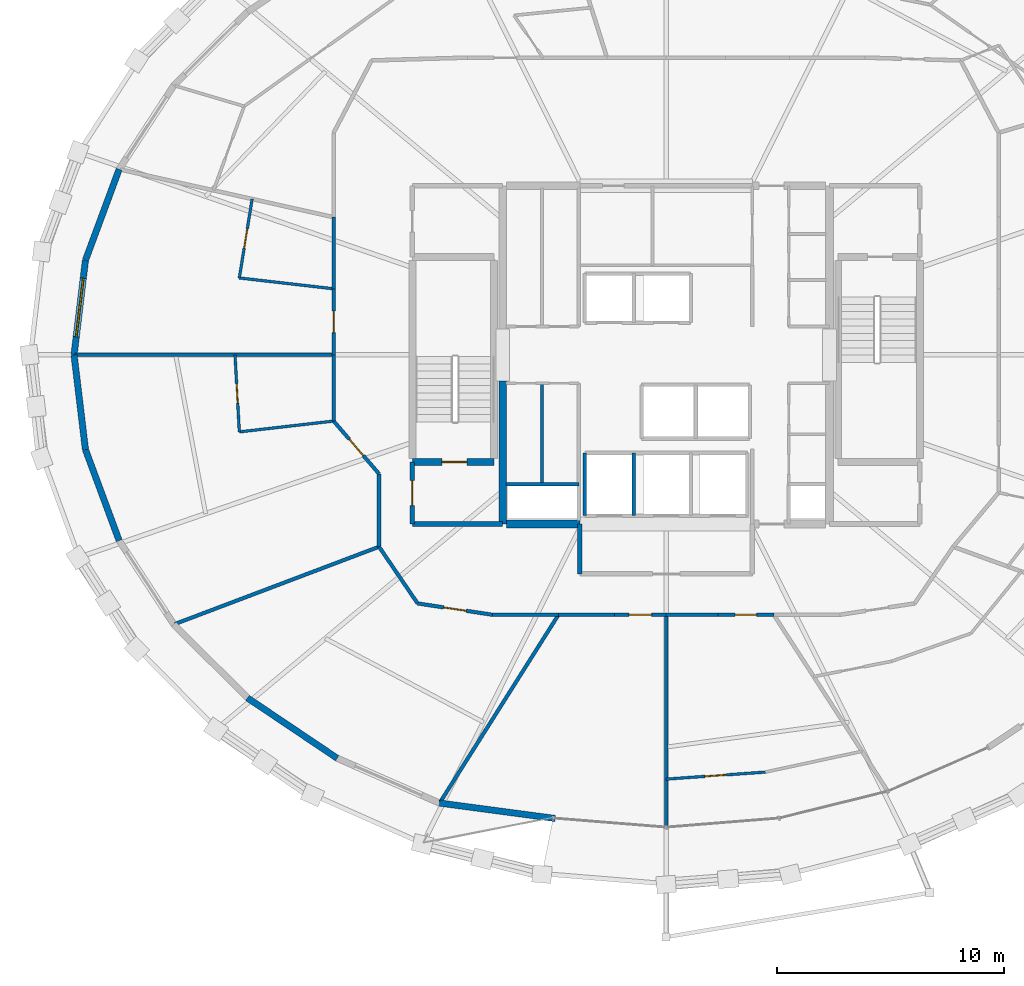
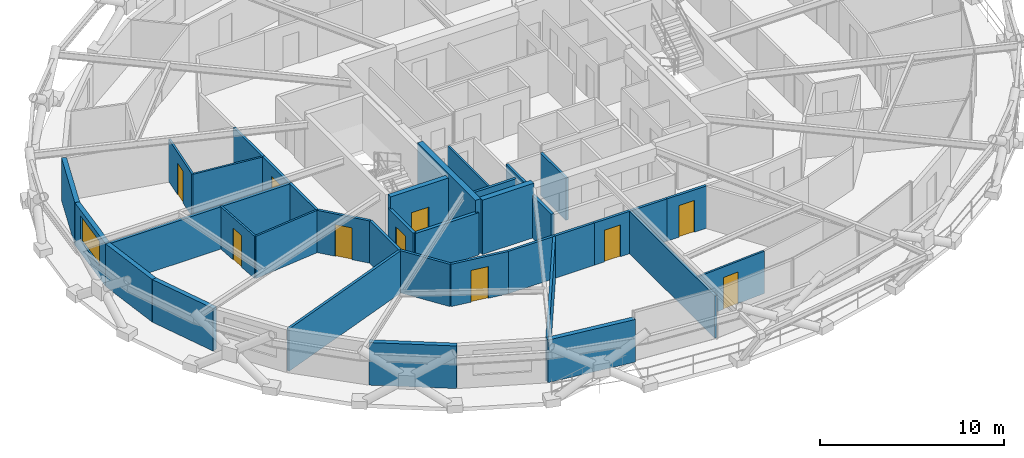
# One storey, part 14 of 20: 37 walls, 10 doors, 1 window, 11 openings.
"""IFC4 building model written with IfcOpenShell, lengths in metres."""

import ifcopenshell
import ifcopenshell.guid

model = None  # the IFC model being written
_history = None  # IfcOwnerHistory: only IFC2X3 demands one
_inside = {}  # id of a spatial element -> (the spatial element, [elements in it])
_under = {}  # id of a project, library or spatial element -> (it, [spatial elements below it])
_declared = {}  # id of a project -> (the project, [libraries it declares])
_typed = {}  # id of a type object -> (the type object, [elements of that type])
_made_of = {}  # id of a material, layer set ... -> (it, [elements and type objects made of it])


def new_model(schema):
    """Start an empty IFC model of exactly this schema.

    Asked for "IFC4X3", IfcOpenShell would pick the latest addendum, in which some entities
    have other attributes; the version numbers below select the first issue.
    IFC2X3 requires an IfcOwnerHistory on every rooted entity: one is made here for all.
    """
    global model, _history
    if schema == "IFC4X3":
        model = ifcopenshell.file(schema_version=(4, 3, 0, 0))
    else:
        model = ifcopenshell.file(schema=schema)
    _inside.clear()
    _under.clear()
    _declared.clear()
    _typed.clear()
    _made_of.clear()
    _history = None
    if model.schema == "IFC2X3":
        org = make("IfcOrganization", Name="unknown")
        user = make(
            "IfcPersonAndOrganization",
            ThePerson=make("IfcPerson", FamilyName="unknown"),
            TheOrganization=org,
        )
        app = make(
            "IfcApplication",
            ApplicationDeveloper=org,
            Version="unknown",
            ApplicationFullName="unknown",
            ApplicationIdentifier="unknown",
        )
        _history = make(
            "IfcOwnerHistory",
            OwningUser=user,
            OwningApplication=app,
            ChangeAction="ADDED",
            CreationDate=0,
        )
    return model


def make(cls, **values):
    """One entity of the class cls with the attributes given. An attribute that is None is left unset."""
    return model.create_entity(
        cls, **{name: value for name, value in values.items() if value is not None}
    )


def rooted(cls, **values):
    """An entity with a GlobalId (a new one), such as an element, a storey or a relation."""
    return make(cls, GlobalId=ifcopenshell.guid.new(), OwnerHistory=_history, **values)


def si_unit(unit_type, name, prefix=None):
    """IfcSIUnit, for example si_unit("LENGTHUNIT", "METRE", prefix="MILLI")."""
    return make("IfcSIUnit", UnitType=unit_type, Prefix=prefix, Name=name)


def assignment(units):
    """IfcUnitAssignment: the units of a project."""
    return None if units is None else make("IfcUnitAssignment", Units=units)


def point(xyz):
    """IfcCartesianPoint."""
    return None if xyz is None else make("IfcCartesianPoint", Coordinates=xyz)


def direction(xyz):
    """IfcDirection."""
    return None if xyz is None else make("IfcDirection", DirectionRatios=xyz)


def frame(location, z_axis=None, x_axis=None):
    """IfcAxis2Placement3D, a coordinate frame: its origin and axes. An axis left out is left unset."""
    return make(
        "IfcAxis2Placement3D",
        Location=point(location),
        Axis=direction(z_axis),
        RefDirection=direction(x_axis),
    )


def frame_2d(location, x_axis=None):
    """IfcAxis2Placement2D, a coordinate frame in the plane: its origin and x axis."""
    return make(
        "IfcAxis2Placement2D", Location=point(location), RefDirection=direction(x_axis)
    )


def origin():
    """The frame at (0, 0, 0) with its axes left unset."""
    return frame((0.0, 0.0, 0.0))


def place(relative_to, where):
    """IfcLocalPlacement: puts the frame where relative to a parent placement (None: the world)."""
    return make(
        "IfcLocalPlacement", PlacementRelTo=relative_to, RelativePlacement=where
    )


def context(
    kind, dimensions, precision=None, world=None, true_north=None, identifier=None
):
    """IfcGeometricRepresentationContext, for example the 3D "Model" context."""
    return make(
        "IfcGeometricRepresentationContext",
        ContextIdentifier=identifier,
        ContextType=kind,
        CoordinateSpaceDimension=dimensions,
        Precision=precision,
        WorldCoordinateSystem=world,
        TrueNorth=true_north,
    )


def subcontext(parent, identifier, kind, view, scale=None):
    """IfcGeometricRepresentationSubContext, for example "Body" below "Model"."""
    return make(
        "IfcGeometricRepresentationSubContext",
        ContextIdentifier=identifier,
        ContextType=kind,
        ParentContext=parent,
        TargetScale=scale,
        TargetView=view,
    )


def project(units=None, contexts=None):
    """IfcProject with its units and contexts."""
    return rooted(
        "IfcProject",
        Name="project",
        RepresentationContexts=contexts,
        UnitsInContext=assignment(units),
    )


def spatial(cls, under=None, at=None, **own):
    """A site, building, storey or space (cls), placed at a placement, below another one or the project."""
    s = rooted(cls, ObjectPlacement=at, **own)
    if under is not None:
        _under.setdefault(under.id(), (under, []))[1].append(s)
    return s


def profile(cls, at=None, kind="AREA", **sizes):
    """A parametric profile (cls). Its sizes go by their IFC names, for example OverallWidth=200.0."""
    return make(cls, ProfileType=kind, Position=at, **sizes)


def rectangle(**sizes):
    """IfcRectangleProfileDef."""
    return profile("IfcRectangleProfileDef", **sizes)


def extrude(swept, where, along, depth):
    """IfcExtrudedAreaSolid: the profile swept, set in the frame where, extruded along a direction by depth."""
    return make(
        "IfcExtrudedAreaSolid",
        SweptArea=swept,
        Position=where,
        ExtrudedDirection=direction(along),
        Depth=depth,
    )


def shape(context_of_items, identifier, shape_type, items):
    """IfcShapeRepresentation: the items that make up one representation, for example the "Body"."""
    return make(
        "IfcShapeRepresentation",
        ContextOfItems=context_of_items,
        RepresentationIdentifier=identifier,
        RepresentationType=shape_type,
        Items=items,
    )


def material(Name=None, Category=None):
    """IfcMaterial."""
    return make("IfcMaterial", Name=Name, Category=Category)


def layer(
    of_material, thickness, ventilated=None, Name=None, Category=None, Priority=None
):
    """IfcMaterialLayer: one layer of a wall or slab, of a material (None: an air gap)."""
    return make(
        "IfcMaterialLayer",
        Material=of_material,
        LayerThickness=thickness,
        IsVentilated=ventilated,
        Name=Name,
        Category=Category,
        Priority=Priority,
    )


def layer_set(layers, Name=None):
    """IfcMaterialLayerSet."""
    return make("IfcMaterialLayerSet", MaterialLayers=layers, LayerSetName=Name)


def made_of(thing, what):
    """Note that an element or type object is made of a material, layer set ...; save() writes the relation."""
    if what is not None:
        _made_of.setdefault(what.id(), (what, []))[1].append(thing)
    return thing


def type_object(cls, material=None, **own):
    """A type object (cls), such as IfcWallType, which elements share."""
    return made_of(rooted(cls, **own), material)


def element(
    cls,
    number,
    at=None,
    inside=None,
    cuts=None,
    type_object=None,
    material=None,
    context=None,
    identifier="Body",
    shape_type=None,
    held_by="IfcProductDefinitionShape",
    body=None,
    shapes=None,
    **own,
):
    """One element of the class cls, such as IfcWall. Its Tag is "e" and its number.

    at: its placement. inside: the storey or other place that contains it. cuts: it is an
    opening in that element (IfcRelVoidsElement). A single representation is given by context,
    identifier, shape_type and body (its items); several are given by shapes. held_by: the class
    of the entity that holds the representations. save() writes the other relations.
    """
    e = rooted(cls, Tag="e%d" % number, ObjectPlacement=at, **own)
    if body is not None:
        shapes = [shape(context, identifier, shape_type, body)]
    if shapes is not None:
        e.Representation = make(held_by, Representations=shapes)
    if inside is not None:
        _inside.setdefault(inside.id(), (inside, []))[1].append(e)
    if cuts is not None:
        rooted(
            "IfcRelVoidsElement", RelatingBuildingElement=cuts, RelatedOpeningElement=e
        )
    if type_object is not None:
        _typed.setdefault(type_object.id(), (type_object, []))[1].append(e)
    return made_of(e, material)


def fill(opening, filler):
    """IfcRelFillsElement: the door or window that sits in an opening."""
    return rooted(
        "IfcRelFillsElement",
        RelatingOpeningElement=opening,
        RelatedBuildingElement=filler,
    )


def aggregate(whole, parts):
    """IfcRelAggregates: a whole, such as a stair, and the parts it consists of."""
    return rooted("IfcRelAggregates", RelatingObject=whole, RelatedObjects=parts)


def save(model, path):
    """Write the relations noted so far, then the file.

    IfcRelAggregates (storeys below a building ...), IfcRelContainedInSpatialStructure (elements
    in a storey), IfcRelDefinesByType, IfcRelAssociatesMaterial and IfcRelDeclares: one each for
    every whole, place, type object, material and project.
    """
    for whole, parts in _under.values():
        aggregate(whole, parts)
    for where, things in _inside.values():
        rooted(
            "IfcRelContainedInSpatialStructure",
            RelatedElements=things,
            RelatingStructure=where,
        )
    for kind, things in _typed.values():
        rooted("IfcRelDefinesByType", RelatedObjects=things, RelatingType=kind)
    for what, things in _made_of.values():
        rooted("IfcRelAssociatesMaterial", RelatedObjects=things, RelatingMaterial=what)
    for by, libraries in _declared.values():
        rooted("IfcRelDeclares", RelatingContext=by, RelatedDefinitions=libraries)
    model.write(path)


model = new_model("IFC4")

# Units and contexts
model_context = context("Model", 3, precision=1e-05, world=origin(), true_north=direction((0.0, 1.0)))
body_context = subcontext(model_context, "Body", "Model", "MODEL_VIEW")
ifc_project = project(units=[si_unit("LENGTHUNIT", "METRE"), si_unit("AREAUNIT", "SQUARE_METRE"), si_unit("VOLUMEUNIT", "CUBIC_METRE"), si_unit("PLANEANGLEUNIT", "RADIAN"), si_unit("MASSUNIT", "GRAM", prefix="KILO")], contexts=[model_context])

# Site, building, storey
site_placement = place(None, origin())
site = spatial("IfcSite", under=ifc_project, at=site_placement, CompositionType="ELEMENT")
building_placement = place(site_placement, origin())
building = spatial("IfcBuilding", under=site, at=building_placement, Name="Veldorina Hangang Commons", CompositionType="ELEMENT")
storey_placement = place(building_placement, frame((0.0, 0.0, 171.199951171875)))
storey = spatial("IfcBuildingStorey", under=building, at=storey_placement, Name="L44", CompositionType="ELEMENT", Elevation=171.199951171875)

# Walls
ifc_material_1 = material(Name="Concrete C60/75", Category="concrete")
ifc_layer_1 = layer(ifc_material_1, 0.340087890625)
ifc_layer_set_1 = layer_set([ifc_layer_1], Name="Concrete C60/75")
wall_type_1 = type_object("IfcWallType", Name="CW-RC340-C60", PredefinedType="SHEAR", material=ifc_layer_set_1)
wall_1_placement = place(storey_placement, frame((24.800048828125, 16.550048828125, 0.0), z_axis=(0.0, 0.0, 1.0), x_axis=(0.0, 1.0, 0.0)))
element("IfcWall", 1, at=wall_1_placement, inside=storey, type_object=wall_type_1, Name="L44 W south core shear wall", PredefinedType="SHEAR", context=body_context, shape_type="SweptSolid", body=[
    extrude(rectangle(XDim=6.300048828125, YDim=0.340087890625, at=frame_2d((3.14990234375, 0.0))), origin(), (0.0, 0.0, 1.0), 3.60009765625),
])
wall_2_placement = place(storey_placement, frame((24.969970703125, 16.550048828125, 0.0), z_axis=(0.0, 0.0, 1.0), x_axis=(1.0, 0.0, 0.0)))
element("IfcWall", 2, at=wall_2_placement, inside=storey, type_object=wall_type_1, Name="L44 south-west core shear wall", PredefinedType="SHEAR", context=body_context, shape_type="SweptSolid", body=[
    extrude(rectangle(XDim=3.22998046875, YDim=0.340087890625, at=frame_2d((1.614990234375, 0.0))), origin(), (0.0, 0.0, 1.0), 3.60009765625),
])
ifc_material_2 = material(Name="Stone Roman Travertine", Category="masonry")
ifc_layer_2 = layer(ifc_material_2, 0.280029296875)
ifc_layer_set_2 = layer_set([ifc_layer_2], Name="Stone Roman Travertine")
wall_type_2 = type_object("IfcWallType", Name="EW-TRAV-280", PredefinedType="STANDARD", material=ifc_layer_set_2)
wall_3_placement = place(storey_placement, frame((7.89794921875, 32.17919921875, 0.0), z_axis=(0.0, 0.0, 1.0), x_axis=(-0.347202759563, -0.937790085121, 0.0)))
element("IfcWall", 3, at=wall_3_placement, inside=storey, type_object=wall_type_2, Name="L44 travertine facade wall 14", PredefinedType="STANDARD", context=body_context, shape_type="SweptSolid", body=[
    extrude(rectangle(XDim=4.275146484375, YDim=0.280029296875, at=frame_2d((2.1376953125, 0.0))), origin(), (0.0, 0.0, 1.0), 2.820068359375),
])

# Wall, opening, window
wall_4_placement = place(storey_placement, frame((6.41357421875, 28.169921875, 0.0), z_axis=(0.0, 0.0, 1.0), x_axis=(-0.119397354427, -0.992846549954, 0.0)))
wall_4 = element("IfcWall", 4, at=wall_4_placement, inside=storey, type_object=wall_type_2, Name="L44 travertine facade wall 15", PredefinedType="STANDARD", context=body_context, shape_type="SweptSolid", body=[
    extrude(rectangle(XDim=4.199951171875, YDim=0.280029296875, at=frame_2d((2.10009765625, 0.0))), origin(), (0.0, 0.0, 1.0), 2.820068359375),
])
opening_1_placement = place(wall_4_placement, frame((0.7998046875, 0.0, 0.800048828125)))
opening_1 = element("IfcOpeningElement", 5, at=opening_1_placement, cuts=wall_4, Name="Opening W-02", PredefinedType="OPENING", context=body_context, shape_type="SweptSolid", body=[
    extrude(rectangle(XDim=2.60009765625, YDim=1.64990234375, at=frame_2d((1.300048828125, 0.824951171875))), frame((0.0, 0.14990234375, 0.0), z_axis=(0.0, -1.0, 0.0), x_axis=(1.0, 0.0, 0.0)), (0.0, 0.0, 1.0), 0.300048828125),
])
ifc_material_3 = material(Name="Glass Low-E Triple IGU", Category="glass")
window_type = type_object("IfcWindowType", Name="WIN-TWR-2600", PartitioningType="SINGLE_PANEL", PredefinedType="WINDOW", material=ifc_material_3)
window_placement = place(opening_1_placement, origin())
window = element("IfcWindow", 6, at=window_placement, inside=storey, type_object=window_type, Name="L44 facade window 15", OverallHeight=1.64990234375, OverallWidth=2.60009765625, PartitioningType="SINGLE_PANEL", PredefinedType="WINDOW", context=body_context, shape_type="SweptSolid", body=[
    extrude(rectangle(XDim=2.60009765625, YDim=1.64990234375, at=frame_2d((1.300048828125, 0.824951171875))), frame((0.0, 0.030029296875, 0.0), z_axis=(0.0, -1.0, 0.0), x_axis=(1.0, 0.0, 0.0)), (0.0, 0.0, 1.0), 0.06005859375),
])
fill(opening_1, window)

# Walls
wall_5_placement = place(storey_placement, frame((5.912109375, 24.0, 0.0), z_axis=(0.0, 0.0, 1.0), x_axis=(0.119397354427, -0.992846549954, 0.0)))
element("IfcWall", 7, at=wall_5_placement, inside=storey, type_object=wall_type_2, Name="L44 travertine facade wall 16", PredefinedType="STANDARD", context=body_context, shape_type="SweptSolid", body=[
    extrude(rectangle(XDim=4.199951171875, YDim=0.280029296875, at=frame_2d((2.10009765625, 0.0))), origin(), (0.0, 0.0, 1.0), 2.820068359375),
])
wall_6_placement = place(storey_placement, frame((6.41357421875, 19.830078125, 0.0), z_axis=(0.0, 0.0, 1.0), x_axis=(0.347202759563, -0.937790085121, 0.0)))
element("IfcWall", 8, at=wall_6_placement, inside=storey, type_object=wall_type_2, Name="L44 travertine facade wall 17", PredefinedType="STANDARD", context=body_context, shape_type="SweptSolid", body=[
    extrude(rectangle(XDim=4.275146484375, YDim=0.280029296875, at=frame_2d((2.1376953125, 0.0))), origin(), (0.0, 0.0, 1.0), 2.820068359375),
])
wall_7_placement = place(storey_placement, frame((13.552978515625, 8.88671875, 0.0), z_axis=(0.0, 0.0, 1.0), x_axis=(0.82985197946, -0.557983594909, 0.0)))
element("IfcWall", 9, at=wall_7_placement, inside=storey, type_object=wall_type_2, Name="L44 travertine facade wall 20", PredefinedType="STANDARD", context=body_context, shape_type="SweptSolid", body=[
    extrude(rectangle(XDim=4.763916015625, YDim=0.280029296875, at=frame_2d((2.3818359375, 0.0))), origin(), (0.0, 0.0, 1.0), 2.820068359375),
])
wall_8_placement = place(storey_placement, frame((22.0166015625, 4.25341796875, 0.0), z_axis=(0.0, 0.0, 1.0), x_axis=(0.991229560072, -0.132151274075, 0.0)))
element("IfcWall", 10, at=wall_8_placement, inside=storey, type_object=wall_type_2, Name="L44 travertine facade wall 22", PredefinedType="STANDARD", context=body_context, shape_type="SweptSolid", body=[
    extrude(rectangle(XDim=5.1396484375, YDim=0.280029296875, at=frame_2d((2.56982421875, 0.0))), origin(), (0.0, 0.0, 1.0), 2.820068359375),
])

# Wall, opening, door
ifc_material_4 = material(Name="Concrete C50/60", Category="concrete")
ifc_layer_3 = layer(ifc_material_4, 0.300048828125)
ifc_layer_set_3 = layer_set([ifc_layer_3], Name="Concrete C50/60")
wall_type_3 = type_object("IfcWallType", Name="SW-STAIR-300", PredefinedType="SHEAR", material=ifc_layer_set_3)
wall_9_placement = place(storey_placement, frame((20.820068359375, 19.280029296875, 0.0), z_axis=(0.0, 0.0, 1.0), x_axis=(1.0, 0.0, 0.0)))
wall_9 = element("IfcWall", 11, at=wall_9_placement, inside=storey, type_object=wall_type_3, Name="L44 ST1 south stair shear wall", PredefinedType="SHEAR", context=body_context, shape_type="SweptSolid", body=[
    extrude(rectangle(XDim=3.599853515625, YDim=0.300048828125, at=frame_2d((1.7998046875, 0.0))), origin(), (0.0, 0.0, 1.0), 3.60009765625),
])
opening_2_placement = place(wall_9_placement, frame((1.300048828125, 0.0, 0.0)))
opening_2 = element("IfcOpeningElement", 12, at=opening_2_placement, cuts=wall_9, Name="Opening D-08", PredefinedType="OPENING", context=body_context, shape_type="SweptSolid", body=[
    extrude(rectangle(XDim=1.10009765625, YDim=2.10009765625, at=frame_2d((0.550048828125, 1.050048828125))), frame((0.0, 0.16015625, 0.0), z_axis=(0.0, -1.0, 0.0), x_axis=(1.0, 0.0, 0.0)), (0.0, 0.0, 1.0), 0.320068359375),
])
ifc_material_5 = material(Name="Steel Fire-Rated Smoke Seal", Category="steel")
door_type_1 = type_object("IfcDoorType", Name="DR-FIRE-1100", OperationType="SINGLE_SWING_RIGHT", PredefinedType="DOOR", material=ifc_material_5)
door_1_placement = place(opening_2_placement, origin())
door_1 = element("IfcDoor", 13, at=door_1_placement, inside=storey, type_object=door_type_1, Name="L44 Special Escape Stair ST-1 door", OperationType="SINGLE_SWING_LEFT", OverallHeight=2.10009765625, OverallWidth=1.10009765625, PredefinedType="DOOR", context=body_context, shape_type="SweptSolid", body=[
    extrude(rectangle(XDim=1.10009765625, YDim=2.10009765625, at=frame_2d((0.550048828125, 1.050048828125))), frame((0.0, 0.02490234375, 0.0), z_axis=(0.0, -1.0, 0.0), x_axis=(1.0, 0.0, 0.0)), (0.0, 0.0, 1.0), 0.050048828125),
])
fill(opening_2, door_1)

# Walls
ifc_material_6 = material(Name="Gypsum Fire-Rated Twin Stud Wall", Category="gypsum")
ifc_layer_4 = layer(ifc_material_6, 0.159912109375)
ifc_layer_set_4 = layer_set([ifc_layer_4], Name="Gypsum Fire-Rated Twin Stud Wall")
wall_type_4 = type_object("IfcWallType", Name="WL-FIRE-160", PredefinedType="SOLIDWALL", material=ifc_layer_set_4)
for number, where, z_axis, x_axis, name in (
    (14, (28.419921875, 16.919921875, 0.0), (0.0, 0.0, 1.0), (0.0, 1.0, 0.0), "L44 FFL-1 west shaft wall 027"),
    (15, (30.580078125, 16.919921875, 0.0), (0.0, 0.0, 1.0), (0.0, 1.0, 0.0), "L44 FFL-1 east shaft wall 028"),
):
    element("IfcWall", number, at=place(storey_placement, frame(where, z_axis=z_axis, x_axis=x_axis)), inside=storey, type_object=wall_type_4, Name=name, PredefinedType="SOLIDWALL", context=body_context, shape_type="SweptSolid", body=[
        extrude(rectangle(XDim=2.760009765625, YDim=0.159912109375, at=frame_2d((1.3798828125, 0.0))), origin(), (0.0, 0.0, 1.0), 2.800048828125),
    ])
wall_10_placement = place(storey_placement, frame((24.949951171875, 18.300048828125, 0.0), z_axis=(0.0, 0.0, 1.0), x_axis=(1.0, 0.0, 0.0)))
element("IfcWall", 16, at=wall_10_placement, inside=storey, type_object=wall_type_4, Name="L44 Electrical riser wall 035", PredefinedType="SOLIDWALL", context=body_context, shape_type="SweptSolid", body=[
    extrude(rectangle(XDim=3.199951171875, YDim=0.159912109375, at=frame_2d((1.60009765625, 0.0))), origin(), (0.0, 0.0, 1.0), 2.800048828125),
])
wall_11_placement = place(storey_placement, frame((17.35009765625, 30.068115234375, 0.0), z_axis=(0.0, 0.0, 1.0), x_axis=(0.0, -1.0, 0.0)))
element("IfcWall", 17, at=wall_11_placement, inside=storey, type_object=wall_type_4, Name="L44 U-corridor outer wall 14 064", PredefinedType="SOLIDWALL", context=body_context, shape_type="SweptSolid", body=[
    extrude(rectangle(XDim=3.154052734375, YDim=0.159912109375, at=frame_2d((1.5771484375, 0.0))), origin(), (0.0, 0.0, 1.0), 2.800048828125),
])

# Wall, opening, door
wall_12_placement = place(storey_placement, frame((17.35009765625, 26.9140625, 0.0), z_axis=(0.0, 0.0, 1.0), x_axis=(0.0, -1.0, 0.0)))
wall_12 = element("IfcWall", 18, at=wall_12_placement, inside=storey, type_object=wall_type_4, Name="L44 U-corridor outer wall 15 065", PredefinedType="SOLIDWALL", context=body_context, shape_type="SweptSolid", body=[
    extrude(rectangle(XDim=2.9140625, YDim=0.159912109375, at=frame_2d((1.45703125, 0.0))), origin(), (0.0, 0.0, 1.0), 2.800048828125),
])
opening_3_placement = place(wall_12_placement, frame((0.98193359375, 0.0, 0.0)))
opening_3 = element("IfcOpeningElement", 19, at=opening_3_placement, cuts=wall_12, Name="Opening D-03", PredefinedType="OPENING", context=body_context, shape_type="SweptSolid", body=[
    extrude(rectangle(XDim=0.949951171875, YDim=2.10009765625, at=frame_2d((0.47509765625, 1.050048828125))), frame((0.0, 0.08984375, 0.0), z_axis=(0.0, -1.0, 0.0), x_axis=(1.0, 0.0, 0.0)), (0.0, 0.0, 1.0), 0.179931640625),
])
ifc_material_7 = material(Name="Timber Fire-Rated Entrance Core", Category="wood")
door_type_2 = type_object("IfcDoorType", Name="DR-UNIT-950", OperationType="SINGLE_SWING_RIGHT", PredefinedType="DOOR", material=ifc_material_7)
door_2_placement = place(opening_3_placement, origin())
door_2 = element("IfcDoor", 20, at=door_2_placement, inside=storey, type_object=door_type_2, Name="L44 Studio 5 entrance door 044", OperationType="SINGLE_SWING_RIGHT", OverallHeight=2.10009765625, OverallWidth=0.949951171875, PredefinedType="DOOR", context=body_context, shape_type="SweptSolid", body=[
    extrude(rectangle(XDim=0.949951171875, YDim=2.10009765625, at=frame_2d((0.47509765625, 1.050048828125))), frame((0.0, 0.02490234375, 0.0), z_axis=(0.0, -1.0, 0.0), x_axis=(1.0, 0.0, 0.0)), (0.0, 0.0, 1.0), 0.050048828125),
])
fill(opening_3, door_2)

# Wall
wall_13_placement = place(storey_placement, frame((17.35009765625, 24.0, 0.0), z_axis=(0.0, 0.0, 1.0), x_axis=(0.0, -1.0, 0.0)))
element("IfcWall", 21, at=wall_13_placement, inside=storey, type_object=wall_type_4, Name="L44 U-corridor outer wall 16 066", PredefinedType="SOLIDWALL", context=body_context, shape_type="SweptSolid", body=[
    extrude(rectangle(XDim=2.9140625, YDim=0.159912109375, at=frame_2d((1.45703125, 0.0))), origin(), (0.0, 0.0, 1.0), 2.800048828125),
])

# Wall, opening, door
wall_14_placement = place(storey_placement, frame((17.35009765625, 21.0859375, 0.0), z_axis=(0.0, 0.0, 1.0), x_axis=(0.652022797448, -0.758199361388, 0.0)))
wall_14 = element("IfcWall", 22, at=wall_14_placement, inside=storey, type_object=wall_type_4, Name="L44 U-corridor outer wall 17 067", PredefinedType="SOLIDWALL", context=body_context, shape_type="SweptSolid", body=[
    extrude(rectangle(XDim=3.0673828125, YDim=0.159912109375, at=frame_2d((1.53369140625, 0.0))), origin(), (0.0, 0.0, 1.0), 2.800048828125),
])
opening_4_placement = place(wall_14_placement, frame((1.05859375, 0.0, 0.0)))
opening_4 = element("IfcOpeningElement", 23, at=opening_4_placement, cuts=wall_14, Name="Opening D-03", PredefinedType="OPENING", context=body_context, shape_type="SweptSolid", body=[
    extrude(rectangle(XDim=0.949951171875, YDim=2.10009765625, at=frame_2d((0.47509765625, 1.050048828125))), frame((0.0, 0.08984375, 0.0), z_axis=(0.0, -1.0, 0.0), x_axis=(1.0, 0.0, 0.0)), (0.0, 0.0, 1.0), 0.179931640625),
])
door_3_placement = place(opening_4_placement, origin())
door_3 = element("IfcDoor", 24, at=door_3_placement, inside=storey, type_object=door_type_2, Name="L44 Studio 6 entrance door 046", OperationType="SINGLE_SWING_RIGHT", OverallHeight=2.10009765625, OverallWidth=0.949951171875, PredefinedType="DOOR", context=body_context, shape_type="SweptSolid", body=[
    extrude(rectangle(XDim=0.949951171875, YDim=2.10009765625, at=frame_2d((0.47509765625, 1.050048828125))), frame((0.0, 0.02490234375, 0.0), z_axis=(0.0, -1.0, 0.0), x_axis=(1.0, 0.0, 0.0)), (0.0, 0.0, 1.0), 0.050048828125),
])
fill(opening_4, door_3)

# Walls
wall_15_placement = place(storey_placement, frame((19.35009765625, 18.76025390625, 0.0), z_axis=(0.0, 0.0, 1.0), x_axis=(0.0, -1.0, 0.0)))
element("IfcWall", 25, at=wall_15_placement, inside=storey, type_object=wall_type_4, Name="L44 U-corridor outer wall 18 068", PredefinedType="SOLIDWALL", context=body_context, shape_type="SweptSolid", body=[
    extrude(rectangle(XDim=3.212646484375, YDim=0.159912109375, at=frame_2d((1.6064453125, 0.0))), origin(), (0.0, 0.0, 1.0), 2.800048828125),
])
wall_16_placement = place(storey_placement, frame((19.35009765625, 15.547607421875, 0.0), z_axis=(0.0, 0.0, 1.0), x_axis=(0.562674669208, -0.826678423955, 0.0)))
element("IfcWall", 26, at=wall_16_placement, inside=storey, type_object=wall_type_4, Name="L44 U-corridor outer wall 19 069", PredefinedType="SOLIDWALL", context=body_context, shape_type="SweptSolid", body=[
    extrude(rectangle(XDim=3.021240234375, YDim=0.159912109375, at=frame_2d((1.5107421875, 0.0))), origin(), (0.0, 0.0, 1.0), 2.800048828125),
])

# Wall, opening, door
wall_17_placement = place(storey_placement, frame((21.050048828125, 13.050048828125, 0.0), z_axis=(0.0, 0.0, 1.0), x_axis=(0.988710906508, -0.149835721217, 0.0)))
wall_17 = element("IfcWall", 27, at=wall_17_placement, inside=storey, type_object=wall_type_4, Name="L44 U-corridor outer wall 20 070", PredefinedType="SOLIDWALL", context=body_context, shape_type="SweptSolid", body=[
    extrude(rectangle(XDim=3.3369140625, YDim=0.159912109375, at=frame_2d((1.66845703125, 0.0))), origin(), (0.0, 0.0, 1.0), 2.800048828125),
])
opening_5_placement = place(wall_17_placement, frame((1.16845703125, 0.0, 0.0)))
opening_5 = element("IfcOpeningElement", 28, at=opening_5_placement, cuts=wall_17, Name="Opening D-05", PredefinedType="OPENING", context=body_context, shape_type="SweptSolid", body=[
    extrude(rectangle(XDim=1.0, YDim=2.10009765625, at=frame_2d((0.5, 1.050048828125))), frame((0.0, 0.08984375, 0.0), z_axis=(0.0, -1.0, 0.0), x_axis=(1.0, 0.0, 0.0)), (0.0, 0.0, 1.0), 0.179931640625),
])
ifc_material_8 = material(Name="Timber Solid Core Acoustic", Category="wood")
door_type_3 = type_object("IfcDoorType", Name="DR-INT-1000", OperationType="SINGLE_SWING_RIGHT", PredefinedType="DOOR", material=ifc_material_8)
door_4_placement = place(opening_5_placement, origin())
door_4 = element("IfcDoor", 29, at=door_4_placement, inside=storey, type_object=door_type_3, Name="L44 Floor Study Room 7 door 047", OperationType="SINGLE_SWING_LEFT", OverallHeight=2.10009765625, OverallWidth=1.0, PredefinedType="DOOR", context=body_context, shape_type="SweptSolid", body=[
    extrude(rectangle(XDim=1.0, YDim=2.10009765625, at=frame_2d((0.5, 1.050048828125))), frame((0.0, 0.02490234375, 0.0), z_axis=(0.0, -1.0, 0.0), x_axis=(1.0, 0.0, 0.0)), (0.0, 0.0, 1.0), 0.050048828125),
])
fill(opening_5, door_4)

# Walls
wall_18_placement = place(storey_placement, frame((24.349365234375, 12.550048828125, 0.0), z_axis=(0.0, 0.0, 1.0), x_axis=(1.0, 0.0, 0.0)))
element("IfcWall", 30, at=wall_18_placement, inside=storey, type_object=wall_type_4, Name="L44 U-corridor outer wall 21 071", PredefinedType="SOLIDWALL", context=body_context, shape_type="SweptSolid", body=[
    extrude(rectangle(XDim=2.907958984375, YDim=0.159912109375, at=frame_2d((1.4541015625, 0.0))), origin(), (0.0, 0.0, 1.0), 2.800048828125),
])
wall_19_placement = place(storey_placement, frame((27.25732421875, 12.550048828125, 0.0), z_axis=(0.0, 0.0, 1.0), x_axis=(1.0, 0.0, 0.0)))
element("IfcWall", 31, at=wall_19_placement, inside=storey, type_object=wall_type_4, Name="L44 U-corridor outer wall 22 072", PredefinedType="SOLIDWALL", context=body_context, shape_type="SweptSolid", body=[
    extrude(rectangle(XDim=2.465087890625, YDim=0.159912109375, at=frame_2d((1.232421875, 0.0))), origin(), (0.0, 0.0, 1.0), 2.800048828125),
])

# Wall, opening, door
wall_20_placement = place(storey_placement, frame((29.722412109375, 12.550048828125, 0.0), z_axis=(0.0, 0.0, 1.0), x_axis=(1.0, 0.0, 0.0)))
wall_20 = element("IfcWall", 32, at=wall_20_placement, inside=storey, type_object=wall_type_4, Name="L44 U-corridor outer wall 23 073", PredefinedType="SOLIDWALL", context=body_context, shape_type="SweptSolid", body=[
    extrude(rectangle(XDim=2.277587890625, YDim=0.159912109375, at=frame_2d((1.138671875, 0.0))), origin(), (0.0, 0.0, 1.0), 2.800048828125),
])
opening_6_placement = place(wall_20_placement, frame((0.638671875, 0.0, 0.0)))
opening_6 = element("IfcOpeningElement", 33, at=opening_6_placement, cuts=wall_20, Name="Opening D-05", PredefinedType="OPENING", context=body_context, shape_type="SweptSolid", body=[
    extrude(rectangle(XDim=1.0, YDim=2.10009765625, at=frame_2d((0.5, 1.050048828125))), frame((0.0, 0.08984375, 0.0), z_axis=(0.0, -1.0, 0.0), x_axis=(1.0, 0.0, 0.0)), (0.0, 0.0, 1.0), 0.179931640625),
])
door_5_placement = place(opening_6_placement, origin())
door_5 = element("IfcDoor", 34, at=door_5_placement, inside=storey, type_object=door_type_3, Name="L44 Seminar Focus Room 8 door 048", OperationType="SINGLE_SWING_RIGHT", OverallHeight=2.10009765625, OverallWidth=1.0, PredefinedType="DOOR", context=body_context, shape_type="SweptSolid", body=[
    extrude(rectangle(XDim=1.0, YDim=2.10009765625, at=frame_2d((0.5, 1.050048828125))), frame((0.0, 0.02490234375, 0.0), z_axis=(0.0, -1.0, 0.0), x_axis=(1.0, 0.0, 0.0)), (0.0, 0.0, 1.0), 0.050048828125),
])
fill(opening_6, door_5)

# Wall
wall_21_placement = place(storey_placement, frame((32.0, 12.550048828125, 0.0), z_axis=(0.0, 0.0, 1.0), x_axis=(1.0, 0.0, 0.0)))
element("IfcWall", 35, at=wall_21_placement, inside=storey, type_object=wall_type_4, Name="L44 U-corridor outer wall 24 074", PredefinedType="SOLIDWALL", context=body_context, shape_type="SweptSolid", body=[
    extrude(rectangle(XDim=2.277587890625, YDim=0.159912109375, at=frame_2d((1.138671875, 0.0))), origin(), (0.0, 0.0, 1.0), 2.800048828125),
])

# Wall, opening, door
wall_22_placement = place(storey_placement, frame((34.277587890625, 12.550048828125, 0.0), z_axis=(0.0, 0.0, 1.0), x_axis=(1.0, 0.0, 0.0)))
wall_22 = element("IfcWall", 36, at=wall_22_placement, inside=storey, type_object=wall_type_4, Name="L44 U-corridor outer wall 25 075", PredefinedType="SOLIDWALL", context=body_context, shape_type="SweptSolid", body=[
    extrude(rectangle(XDim=2.465087890625, YDim=0.159912109375, at=frame_2d((1.232421875, 0.0))), origin(), (0.0, 0.0, 1.0), 2.800048828125),
])
opening_7_placement = place(wall_22_placement, frame((0.757568359375, 0.0, 0.0)))
opening_7 = element("IfcOpeningElement", 37, at=opening_7_placement, cuts=wall_22, Name="Opening D-02", PredefinedType="OPENING", context=body_context, shape_type="SweptSolid", body=[
    extrude(rectangle(XDim=0.949951171875, YDim=2.10009765625, at=frame_2d((0.47509765625, 1.050048828125))), frame((0.0, 0.08984375, 0.0), z_axis=(0.0, -1.0, 0.0), x_axis=(1.0, 0.0, 0.0)), (0.0, 0.0, 1.0), 0.179931640625),
])
door_type_4 = type_object("IfcDoorType", Name="DR-INT-950", OperationType="SINGLE_SWING_LEFT", PredefinedType="DOOR", material=ifc_material_8)
door_6_placement = place(opening_7_placement, origin())
door_6 = element("IfcDoor", 38, at=door_6_placement, inside=storey, type_object=door_type_4, Name="L44 Linen drying store door 049", OperationType="SINGLE_SWING_LEFT", OverallHeight=2.10009765625, OverallWidth=0.949951171875, PredefinedType="DOOR", context=body_context, shape_type="SweptSolid", body=[
    extrude(rectangle(XDim=0.949951171875, YDim=2.10009765625, at=frame_2d((0.47509765625, 1.050048828125))), frame((0.0, 0.02490234375, 0.0), z_axis=(0.0, -1.0, 0.0), x_axis=(1.0, 0.0, 0.0)), (0.0, 0.0, 1.0), 0.050048828125),
])
fill(opening_7, door_6)

# Walls
wall_23_placement = place(storey_placement, frame((17.35009765625, 24.0, 0.0), z_axis=(0.0, 0.0, 1.0), x_axis=(-1.0, 0.0, 0.0)))
element("IfcWall", 39, at=wall_23_placement, inside=storey, type_object=wall_type_4, Name="L44 Unit party wall 16 121", PredefinedType="SOLIDWALL", context=body_context, shape_type="SweptSolid", body=[
    extrude(rectangle(XDim=11.387939453125, YDim=0.159912109375, at=frame_2d((5.69384765625, 0.0))), origin(), (0.0, 0.0, 1.0), 2.800048828125),
])
wall_24_placement = place(storey_placement, frame((19.35009765625, 15.547607421875, 0.0), z_axis=(0.0, 0.0, 1.0), x_axis=(-0.935251280016, -0.353984523996, 0.0)))
element("IfcWall", 40, at=wall_24_placement, inside=storey, type_object=wall_type_4, Name="L44 Unit party wall 19 124", PredefinedType="SOLIDWALL", context=body_context, shape_type="SweptSolid", body=[
    extrude(rectangle(XDim=9.6171875, YDim=0.159912109375, at=frame_2d((4.80859375, 0.0))), origin(), (0.0, 0.0, 1.0), 2.800048828125),
])
wall_25_placement = place(storey_placement, frame((27.25732421875, 12.550048828125, 0.0), z_axis=(0.0, 0.0, 1.0), x_axis=(-0.534063552389, -0.845444334069, 0.0)))
element("IfcWall", 41, at=wall_25_placement, inside=storey, type_object=wall_type_4, Name="L44 Unit party wall 22 125", PredefinedType="SOLIDWALL", context=body_context, shape_type="SweptSolid", body=[
    extrude(rectangle(XDim=9.76318359375, YDim=0.159912109375, at=frame_2d((4.881591796875, 0.0))), origin(), (0.0, 0.0, 1.0), 2.800048828125),
])
wall_26_placement = place(storey_placement, frame((32.0, 12.550048828125, 0.0), z_axis=(0.0, 0.0, 1.0), x_axis=(0.0, -1.0, 0.0)))
element("IfcWall", 42, at=wall_26_placement, inside=storey, type_object=wall_type_4, Name="L44 Unit party wall 24 126", PredefinedType="SOLIDWALL", context=body_context, shape_type="SweptSolid", body=[
    extrude(rectangle(XDim=9.3134765625, YDim=0.159912109375, at=frame_2d((4.65673828125, 0.0))), origin(), (0.0, 0.0, 1.0), 2.800048828125),
])

# Wall, opening, door
ifc_material_9 = material(Name="Concrete Blockwork Fire Wall C30/37", Category="masonry")
ifc_layer_5 = layer(ifc_material_9, 0.199951171875)
ifc_layer_set_5 = layer_set([ifc_layer_5], Name="Concrete Blockwork Fire Wall C30/37")
wall_type_5 = type_object("IfcWallType", Name="WL-FIRE-200", PredefinedType="SOLIDWALL", material=ifc_layer_set_5)
wall_27_placement = place(storey_placement, frame((20.820068359375, 16.550048828125, 0.0), z_axis=(0.0, 0.0, 1.0), x_axis=(0.0, 1.0, 0.0)))
wall_27 = element("IfcWall", 43, at=wall_27_placement, inside=storey, type_object=wall_type_5, Name="L44 West vestibule outer wall 001", PredefinedType="SOLIDWALL", context=body_context, shape_type="SweptSolid", body=[
    extrude(rectangle(XDim=2.72998046875, YDim=0.199951171875, at=frame_2d((1.364990234375, 0.0))), origin(), (0.0, 0.0, 1.0), 2.800048828125),
])
opening_8_placement = place(wall_27_placement, frame((0.81494140625, 0.0, 0.0)))
opening_8 = element("IfcOpeningElement", 44, at=opening_8_placement, cuts=wall_27, Name="Opening D-08", PredefinedType="OPENING", context=body_context, shape_type="SweptSolid", body=[
    extrude(rectangle(XDim=1.10009765625, YDim=2.10009765625, at=frame_2d((0.550048828125, 1.050048828125))), frame((0.0, 0.10986328125, 0.0), z_axis=(0.0, -1.0, 0.0), x_axis=(1.0, 0.0, 0.0)), (0.0, 0.0, 1.0), 0.219970703125),
])
door_7_placement = place(opening_8_placement, origin())
door_7 = element("IfcDoor", 45, at=door_7_placement, inside=storey, type_object=door_type_1, Name="L44 West vestibule west door 001", OperationType="SINGLE_SWING_LEFT", OverallHeight=2.10009765625, OverallWidth=1.10009765625, PredefinedType="DOOR", context=body_context, shape_type="SweptSolid", body=[
    extrude(rectangle(XDim=1.10009765625, YDim=2.10009765625, at=frame_2d((0.550048828125, 1.050048828125))), frame((0.0, 0.02490234375, 0.0), z_axis=(0.0, -1.0, 0.0), x_axis=(1.0, 0.0, 0.0)), (0.0, 0.0, 1.0), 0.050048828125),
])
fill(opening_8, door_7)

# Walls
wall_28_placement = place(storey_placement, frame((20.820068359375, 16.550048828125, 0.0), z_axis=(0.0, 0.0, 1.0), x_axis=(1.0, 0.0, 0.0)))
element("IfcWall", 46, at=wall_28_placement, inside=storey, type_object=wall_type_5, Name="L44 West vestibule south wall 002", PredefinedType="SOLIDWALL", context=body_context, shape_type="SweptSolid", body=[
    extrude(rectangle(XDim=3.97998046875, YDim=0.199951171875, at=frame_2d((1.989990234375, 0.0))), origin(), (0.0, 0.0, 1.0), 2.800048828125),
])
wall_29_placement = place(storey_placement, frame((28.199951171875, 14.35009765625, 0.0), z_axis=(0.0, 0.0, 1.0), x_axis=(0.0, 1.0, 0.0)))
element("IfcWall", 47, at=wall_29_placement, inside=storey, type_object=wall_type_5, Name="L44 FF lobby west wall 012", PredefinedType="SOLIDWALL", context=body_context, shape_type="SweptSolid", body=[
    extrude(rectangle(XDim=2.199951171875, YDim=0.199951171875, at=frame_2d((1.10009765625, 0.0))), origin(), (0.0, 0.0, 1.0), 2.800048828125),
])
ifc_material_10 = material(Name="Gypsum Acoustic Stud Partition", Category="gypsum")
ifc_layer_6 = layer(ifc_material_10, 0.1201171875)
ifc_layer_set_6 = layer_set([ifc_layer_6], Name="Gypsum Acoustic Stud Partition")
wall_type_6 = type_object("IfcWallType", Name="WL-PART-120", PredefinedType="PARTITIONING", material=ifc_layer_set_6)
wall_30_placement = place(storey_placement, frame((26.530029296875, 18.300048828125, 0.0), z_axis=(0.0, 0.0, 1.0), x_axis=(0.0, 1.0, 0.0)))
element("IfcWall", 48, at=wall_30_placement, inside=storey, type_object=wall_type_6, Name="L44 SW vertical split 046", PredefinedType="PARTITIONING", context=body_context, shape_type="SweptSolid", body=[
    extrude(rectangle(XDim=4.449951171875, YDim=0.1201171875, at=frame_2d((2.22509765625, 0.0))), origin(), (0.0, 0.0, 1.0), 2.800048828125),
])

# Wall, opening, door
wall_31_placement = place(storey_placement, frame((13.75830078125, 30.870361328125, 0.0), z_axis=(0.0, 0.0, 1.0), x_axis=(-0.160083927962, -0.987103406948, 0.0)))
wall_31 = element("IfcWall", 49, at=wall_31_placement, inside=storey, type_object=wall_type_6, Name="L44 Studio 5 bath front wall 119", PredefinedType="PARTITIONING", context=body_context, shape_type="SweptSolid", body=[
    extrude(rectangle(XDim=3.5244140625, YDim=0.1201171875, at=frame_2d((1.76220703125, 0.0))), origin(), (0.0, 0.0, 1.0), 2.800048828125),
])
opening_9_placement = place(wall_31_placement, frame((1.332275390625, 0.0, 0.0)))
opening_9 = element("IfcOpeningElement", 50, at=opening_9_placement, cuts=wall_31, Name="Opening D-01", PredefinedType="OPENING", context=body_context, shape_type="SweptSolid", body=[
    extrude(rectangle(XDim=0.860107421875, YDim=2.10009765625, at=frame_2d((0.43017578125, 1.050048828125))), frame((0.0, 0.070068359375, 0.0), z_axis=(0.0, -1.0, 0.0), x_axis=(1.0, 0.0, 0.0)), (0.0, 0.0, 1.0), 0.14013671875),
])
ifc_material_11 = material(Name="Timber Moisture-Resistant Core", Category="wood")
door_type_5 = type_object("IfcDoorType", Name="DR-WET-860", OperationType="SINGLE_SWING_LEFT", PredefinedType="DOOR", material=ifc_material_11)
door_8_placement = place(opening_9_placement, origin())
door_8 = element("IfcDoor", 51, at=door_8_placement, inside=storey, type_object=door_type_5, Name="L44 Studio 5 bathroom door 043", OperationType="SINGLE_SWING_LEFT", OverallHeight=2.10009765625, OverallWidth=0.860107421875, PredefinedType="DOOR", context=body_context, shape_type="SweptSolid", body=[
    extrude(rectangle(XDim=0.860107421875, YDim=2.10009765625, at=frame_2d((0.43017578125, 1.050048828125))), frame((0.0, 0.02490234375, 0.0), z_axis=(0.0, -1.0, 0.0), x_axis=(1.0, 0.0, 0.0)), (0.0, 0.0, 1.0), 0.050048828125),
])
fill(opening_9, door_8)

# Wall
wall_32_placement = place(storey_placement, frame((17.35009765625, 26.9140625, 0.0), z_axis=(0.0, 0.0, 1.0), x_axis=(-0.993469881573, 0.114094673, 0.0)))
element("IfcWall", 52, at=wall_32_placement, inside=storey, type_object=wall_type_6, Name="L44 Studio 5 bath side wall 120", PredefinedType="PARTITIONING", context=body_context, shape_type="SweptSolid", body=[
    extrude(rectangle(XDim=4.183349609375, YDim=0.1201171875, at=frame_2d((2.091796875, 0.0))), origin(), (0.0, 0.0, 1.0), 2.800048828125),
])

# Wall, opening, door
wall_33_placement = place(storey_placement, frame((13.003662109375, 24.0, 0.0), z_axis=(0.0, 0.0, 1.0), x_axis=(0.056063151341, -0.99842722472, 0.0)))
wall_33 = element("IfcWall", 53, at=wall_33_placement, inside=storey, type_object=wall_type_6, Name="L44 Studio 6 bath front wall 122", PredefinedType="PARTITIONING", context=body_context, shape_type="SweptSolid", body=[
    extrude(rectangle(XDim=3.396728515625, YDim=0.1201171875, at=frame_2d((1.6982421875, 0.0))), origin(), (0.0, 0.0, 1.0), 2.800048828125),
])
opening_10_placement = place(wall_33_placement, frame((1.268310546875, 0.0, 0.0)))
opening_10 = element("IfcOpeningElement", 54, at=opening_10_placement, cuts=wall_33, Name="Opening D-01", PredefinedType="OPENING", context=body_context, shape_type="SweptSolid", body=[
    extrude(rectangle(XDim=0.860107421875, YDim=2.10009765625, at=frame_2d((0.43017578125, 1.050048828125))), frame((0.0, 0.070068359375, 0.0), z_axis=(0.0, -1.0, 0.0), x_axis=(1.0, 0.0, 0.0)), (0.0, 0.0, 1.0), 0.14013671875),
])
door_9_placement = place(opening_10_placement, origin())
door_9 = element("IfcDoor", 55, at=door_9_placement, inside=storey, type_object=door_type_5, Name="L44 Studio 6 bathroom door 045", OperationType="SINGLE_SWING_LEFT", OverallHeight=2.10009765625, OverallWidth=0.860107421875, PredefinedType="DOOR", context=body_context, shape_type="SweptSolid", body=[
    extrude(rectangle(XDim=0.860107421875, YDim=2.10009765625, at=frame_2d((0.43017578125, 1.050048828125))), frame((0.0, 0.02490234375, 0.0), z_axis=(0.0, -1.0, 0.0), x_axis=(1.0, 0.0, 0.0)), (0.0, 0.0, 1.0), 0.050048828125),
])
fill(opening_10, door_9)

# Wall
wall_34_placement = place(storey_placement, frame((17.35009765625, 21.0859375, 0.0), z_axis=(0.0, 0.0, 1.0), x_axis=(-0.993469881573, -0.114094673, 0.0)))
element("IfcWall", 56, at=wall_34_placement, inside=storey, type_object=wall_type_6, Name="L44 Studio 6 bath side wall 123", PredefinedType="PARTITIONING", context=body_context, shape_type="SweptSolid", body=[
    extrude(rectangle(XDim=4.183349609375, YDim=0.1201171875, at=frame_2d((2.091796875, 0.0))), origin(), (0.0, 0.0, 1.0), 2.800048828125),
])

# Wall, opening, door
wall_35_placement = place(storey_placement, frame((32.0, 5.308837890625, 0.0), z_axis=(0.0, 0.0, 1.0), x_axis=(0.997501538999, 0.070644742868, 0.0)))
wall_35 = element("IfcWall", 57, at=wall_35_placement, inside=storey, type_object=wall_type_6, Name="L44 Laundry split 0 127", PredefinedType="PARTITIONING", context=body_context, shape_type="SweptSolid", body=[
    extrude(rectangle(XDim=4.378662109375, YDim=0.1201171875, at=frame_2d((2.189453125, 0.0))), origin(), (0.0, 0.0, 1.0), 2.800048828125),
])
opening_11_placement = place(wall_35_placement, frame((1.714111328125, 0.0, 0.0)))
opening_11 = element("IfcOpeningElement", 58, at=opening_11_placement, cuts=wall_35, Name="Opening D-02", PredefinedType="OPENING", context=body_context, shape_type="SweptSolid", body=[
    extrude(rectangle(XDim=0.949951171875, YDim=2.10009765625, at=frame_2d((0.47509765625, 1.050048828125))), frame((0.0, 0.070068359375, 0.0), z_axis=(0.0, -1.0, 0.0), x_axis=(1.0, 0.0, 0.0)), (0.0, 0.0, 1.0), 0.14013671875),
])
door_10_placement = place(opening_11_placement, origin())
door_10 = element("IfcDoor", 59, at=door_10_placement, inside=storey, type_object=door_type_4, Name="L44 Resident laundry inner door 050", OperationType="SINGLE_SWING_RIGHT", OverallHeight=2.10009765625, OverallWidth=0.949951171875, PredefinedType="DOOR", context=body_context, shape_type="SweptSolid", body=[
    extrude(rectangle(XDim=0.949951171875, YDim=2.10009765625, at=frame_2d((0.47509765625, 1.050048828125))), frame((0.0, 0.02490234375, 0.0), z_axis=(0.0, -1.0, 0.0), x_axis=(1.0, 0.0, 0.0)), (0.0, 0.0, 1.0), 0.050048828125),
])
fill(opening_11, door_10)

save(model, "model.ifc")
